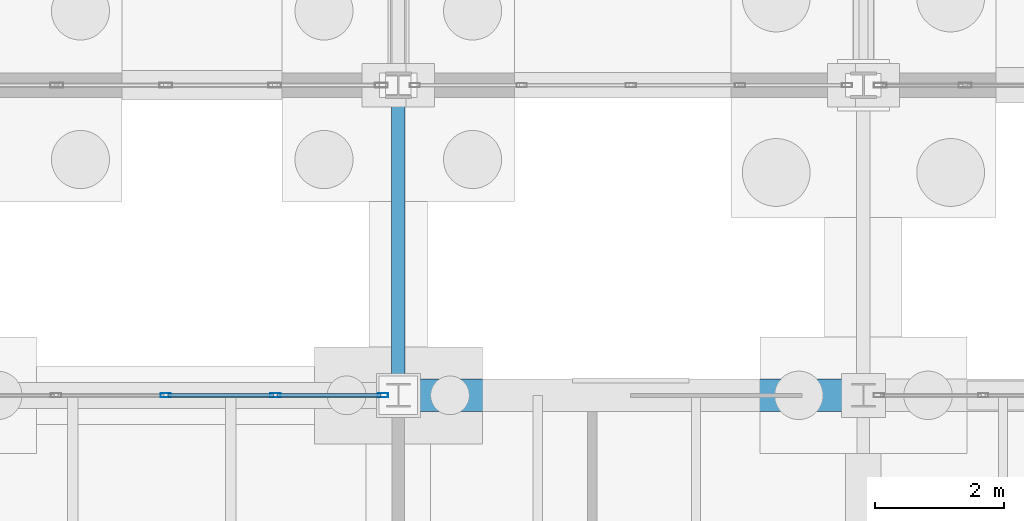
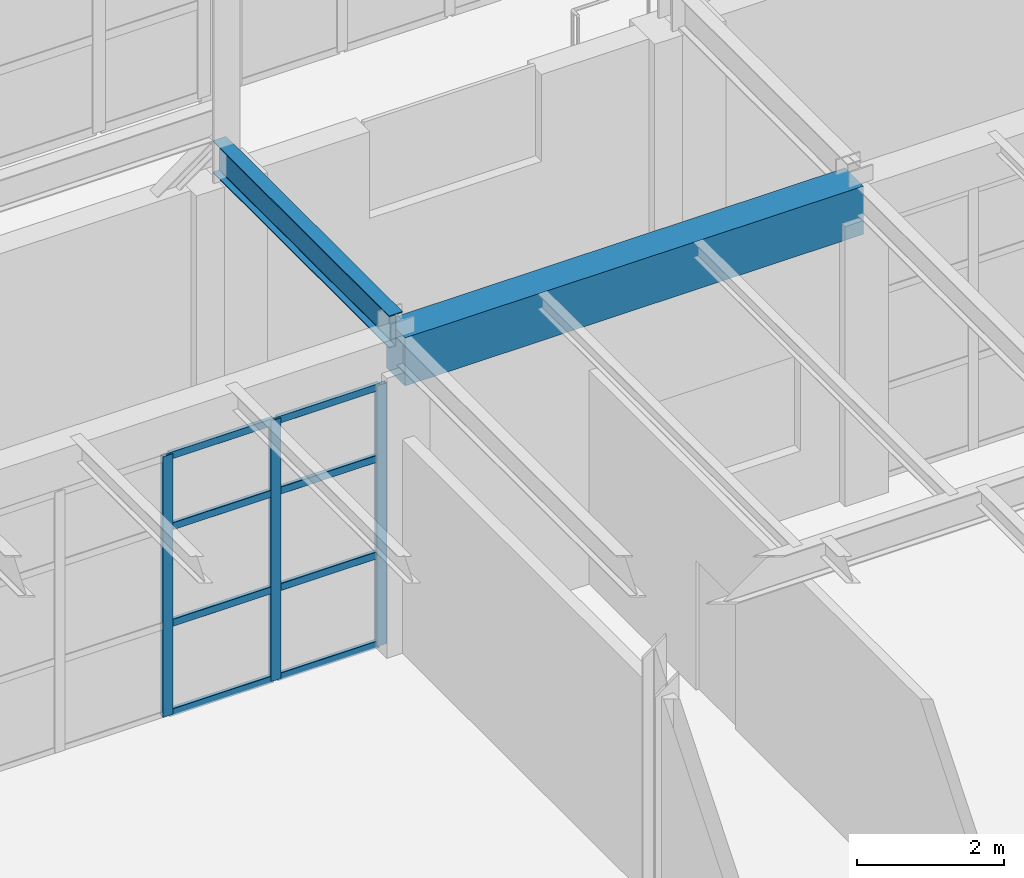
# One storey, part 105 of 293: 11 members, 2 beams, 1 element without a shape of its own.
"""IFC4 building model written with IfcOpenShell, lengths in metres."""

import ifcopenshell
import ifcopenshell.guid

model = None  # the IFC model being written
_history = None  # IfcOwnerHistory: only IFC2X3 demands one
_inside = {}  # id of a spatial element -> (the spatial element, [elements in it])
_under = {}  # id of a project, library or spatial element -> (it, [spatial elements below it])
_declared = {}  # id of a project -> (the project, [libraries it declares])
_typed = {}  # id of a type object -> (the type object, [elements of that type])
_made_of = {}  # id of a material, layer set ... -> (it, [elements and type objects made of it])


def new_model(schema):
    """Start an empty IFC model of exactly this schema.

    Asked for "IFC4X3", IfcOpenShell would pick the latest addendum, in which some entities
    have other attributes; the version numbers below select the first issue.
    IFC2X3 requires an IfcOwnerHistory on every rooted entity: one is made here for all.
    """
    global model, _history
    if schema == "IFC4X3":
        model = ifcopenshell.file(schema_version=(4, 3, 0, 0))
    else:
        model = ifcopenshell.file(schema=schema)
    _inside.clear()
    _under.clear()
    _declared.clear()
    _typed.clear()
    _made_of.clear()
    _history = None
    if model.schema == "IFC2X3":
        org = make("IfcOrganization", Name="unknown")
        user = make(
            "IfcPersonAndOrganization",
            ThePerson=make("IfcPerson", FamilyName="unknown"),
            TheOrganization=org,
        )
        app = make(
            "IfcApplication",
            ApplicationDeveloper=org,
            Version="unknown",
            ApplicationFullName="unknown",
            ApplicationIdentifier="unknown",
        )
        _history = make(
            "IfcOwnerHistory",
            OwningUser=user,
            OwningApplication=app,
            ChangeAction="ADDED",
            CreationDate=0,
        )
    return model


def make(cls, **values):
    """One entity of the class cls with the attributes given. An attribute that is None is left unset."""
    return model.create_entity(
        cls, **{name: value for name, value in values.items() if value is not None}
    )


def rooted(cls, **values):
    """An entity with a GlobalId (a new one), such as an element, a storey or a relation."""
    return make(cls, GlobalId=ifcopenshell.guid.new(), OwnerHistory=_history, **values)


def si_unit(unit_type, name, prefix=None):
    """IfcSIUnit, for example si_unit("LENGTHUNIT", "METRE", prefix="MILLI")."""
    return make("IfcSIUnit", UnitType=unit_type, Prefix=prefix, Name=name)


def assignment(units):
    """IfcUnitAssignment: the units of a project."""
    return None if units is None else make("IfcUnitAssignment", Units=units)


def point(xyz):
    """IfcCartesianPoint."""
    return None if xyz is None else make("IfcCartesianPoint", Coordinates=xyz)


def direction(xyz):
    """IfcDirection."""
    return None if xyz is None else make("IfcDirection", DirectionRatios=xyz)


def frame(location, z_axis=None, x_axis=None):
    """IfcAxis2Placement3D, a coordinate frame: its origin and axes. An axis left out is left unset."""
    return make(
        "IfcAxis2Placement3D",
        Location=point(location),
        Axis=direction(z_axis),
        RefDirection=direction(x_axis),
    )


def frame_2d(location, x_axis=None):
    """IfcAxis2Placement2D, a coordinate frame in the plane: its origin and x axis."""
    return make(
        "IfcAxis2Placement2D", Location=point(location), RefDirection=direction(x_axis)
    )


def origin():
    """The frame at (0, 0, 0) with its axes left unset."""
    return frame((0.0, 0.0, 0.0))


def origin_2d():
    """The frame at (0, 0) in the plane with its x axis left unset."""
    return frame_2d((0.0, 0.0))


def place(relative_to, where):
    """IfcLocalPlacement: puts the frame where relative to a parent placement (None: the world)."""
    return make(
        "IfcLocalPlacement", PlacementRelTo=relative_to, RelativePlacement=where
    )


def context(
    kind, dimensions, precision=None, world=None, true_north=None, identifier=None
):
    """IfcGeometricRepresentationContext, for example the 3D "Model" context."""
    return make(
        "IfcGeometricRepresentationContext",
        ContextIdentifier=identifier,
        ContextType=kind,
        CoordinateSpaceDimension=dimensions,
        Precision=precision,
        WorldCoordinateSystem=world,
        TrueNorth=true_north,
    )


def subcontext(parent, identifier, kind, view, scale=None):
    """IfcGeometricRepresentationSubContext, for example "Body" below "Model"."""
    return make(
        "IfcGeometricRepresentationSubContext",
        ContextIdentifier=identifier,
        ContextType=kind,
        ParentContext=parent,
        TargetScale=scale,
        TargetView=view,
    )


def project(units=None, contexts=None):
    """IfcProject with its units and contexts."""
    return rooted(
        "IfcProject",
        Name="project",
        RepresentationContexts=contexts,
        UnitsInContext=assignment(units),
    )


def spatial(cls, under=None, at=None, **own):
    """A site, building, storey or space (cls), placed at a placement, below another one or the project."""
    s = rooted(cls, ObjectPlacement=at, **own)
    if under is not None:
        _under.setdefault(under.id(), (under, []))[1].append(s)
    return s


def profile(cls, at=None, kind="AREA", **sizes):
    """A parametric profile (cls). Its sizes go by their IFC names, for example OverallWidth=200.0."""
    return make(cls, ProfileType=kind, Position=at, **sizes)


def rectangle(**sizes):
    """IfcRectangleProfileDef."""
    return profile("IfcRectangleProfileDef", **sizes)


def hollow_rectangle(**sizes):
    """IfcRectangleHollowProfileDef."""
    return profile("IfcRectangleHollowProfileDef", **sizes)


def i_section(**sizes):
    """IfcIShapeProfileDef."""
    return profile("IfcIShapeProfileDef", **sizes)


def extrude(swept, where, along, depth):
    """IfcExtrudedAreaSolid: the profile swept, set in the frame where, extruded along a direction by depth."""
    return make(
        "IfcExtrudedAreaSolid",
        SweptArea=swept,
        Position=where,
        ExtrudedDirection=direction(along),
        Depth=depth,
    )


def shape(context_of_items, identifier, shape_type, items):
    """IfcShapeRepresentation: the items that make up one representation, for example the "Body"."""
    return make(
        "IfcShapeRepresentation",
        ContextOfItems=context_of_items,
        RepresentationIdentifier=identifier,
        RepresentationType=shape_type,
        Items=items,
    )


def material(Name=None, Category=None):
    """IfcMaterial."""
    return make("IfcMaterial", Name=Name, Category=Category)


def layer(
    of_material, thickness, ventilated=None, Name=None, Category=None, Priority=None
):
    """IfcMaterialLayer: one layer of a wall or slab, of a material (None: an air gap)."""
    return make(
        "IfcMaterialLayer",
        Material=of_material,
        LayerThickness=thickness,
        IsVentilated=ventilated,
        Name=Name,
        Category=Category,
        Priority=Priority,
    )


def layer_set(layers, Name=None):
    """IfcMaterialLayerSet."""
    return make("IfcMaterialLayerSet", MaterialLayers=layers, LayerSetName=Name)


def material_profile(
    of_material, cross_section, Name=None, Category=None, Priority=None
):
    """IfcMaterialProfile: a cross section and its material."""
    return make(
        "IfcMaterialProfile",
        Name=Name,
        Material=of_material,
        Profile=cross_section,
        Priority=Priority,
        Category=Category,
    )


def profile_set(profiles, Name=None, composite=None):
    """IfcMaterialProfileSet."""
    return make(
        "IfcMaterialProfileSet",
        Name=Name,
        MaterialProfiles=profiles,
        CompositeProfile=composite,
    )


def made_of(thing, what):
    """Note that an element or type object is made of a material, layer set ...; save() writes the relation."""
    if what is not None:
        _made_of.setdefault(what.id(), (what, []))[1].append(thing)
    return thing


def type_object(cls, material=None, **own):
    """A type object (cls), such as IfcWallType, which elements share."""
    return made_of(rooted(cls, **own), material)


def element(
    cls,
    number,
    at=None,
    inside=None,
    cuts=None,
    type_object=None,
    material=None,
    context=None,
    identifier="Body",
    shape_type=None,
    held_by="IfcProductDefinitionShape",
    body=None,
    shapes=None,
    **own,
):
    """One element of the class cls, such as IfcWall. Its Tag is "e" and its number.

    at: its placement. inside: the storey or other place that contains it. cuts: it is an
    opening in that element (IfcRelVoidsElement). A single representation is given by context,
    identifier, shape_type and body (its items); several are given by shapes. held_by: the class
    of the entity that holds the representations. save() writes the other relations.
    """
    e = rooted(cls, Tag="e%d" % number, ObjectPlacement=at, **own)
    if body is not None:
        shapes = [shape(context, identifier, shape_type, body)]
    if shapes is not None:
        e.Representation = make(held_by, Representations=shapes)
    if inside is not None:
        _inside.setdefault(inside.id(), (inside, []))[1].append(e)
    if cuts is not None:
        rooted(
            "IfcRelVoidsElement", RelatingBuildingElement=cuts, RelatedOpeningElement=e
        )
    if type_object is not None:
        _typed.setdefault(type_object.id(), (type_object, []))[1].append(e)
    return made_of(e, material)


def aggregate(whole, parts):
    """IfcRelAggregates: a whole, such as a stair, and the parts it consists of."""
    return rooted("IfcRelAggregates", RelatingObject=whole, RelatedObjects=parts)


def save(model, path):
    """Write the relations noted so far, then the file.

    IfcRelAggregates (storeys below a building ...), IfcRelContainedInSpatialStructure (elements
    in a storey), IfcRelDefinesByType, IfcRelAssociatesMaterial and IfcRelDeclares: one each for
    every whole, place, type object, material and project.
    """
    for whole, parts in _under.values():
        aggregate(whole, parts)
    for where, things in _inside.values():
        rooted(
            "IfcRelContainedInSpatialStructure",
            RelatedElements=things,
            RelatingStructure=where,
        )
    for kind, things in _typed.values():
        rooted("IfcRelDefinesByType", RelatedObjects=things, RelatingType=kind)
    for what, things in _made_of.values():
        rooted("IfcRelAssociatesMaterial", RelatedObjects=things, RelatingMaterial=what)
    for by, libraries in _declared.values():
        rooted("IfcRelDeclares", RelatingContext=by, RelatedDefinitions=libraries)
    model.write(path)


model = new_model("IFC4")

# Units and contexts
model_context = context("Model", 3, precision=1e-05, world=origin(), true_north=direction((0.0, 1.0)))
body_context = subcontext(model_context, "Body", "Model", "MODEL_VIEW")
ifc_project = project(units=[si_unit("LENGTHUNIT", "METRE"), si_unit("AREAUNIT", "SQUARE_METRE"), si_unit("VOLUMEUNIT", "CUBIC_METRE"), si_unit("PLANEANGLEUNIT", "RADIAN"), si_unit("MASSUNIT", "GRAM", prefix="KILO")], contexts=[model_context])

# Site, building, storey
site_placement = place(None, origin())
site = spatial("IfcSite", under=ifc_project, at=site_placement, CompositionType="ELEMENT")
building_placement = place(site_placement, origin())
building = spatial("IfcBuilding", under=site, at=building_placement, Name="Kemerveld Promenade Tramway Depot", CompositionType="ELEMENT")
storey_placement = place(building_placement, origin())
storey = spatial("IfcBuildingStorey", under=building, at=storey_placement, Name="L00", CompositionType="ELEMENT", Elevation=0.0)

# Beams
ifc_material_1 = material(Name="Steel S355", Category="steel")
ifc_material_profile_1 = material_profile(ifc_material_1, i_section(OverallWidth=0.2099609375, OverallDepth=0.53662109375, WebThickness=0.0107421875, FlangeThickness=0.017333984375, FilletRadius=0.0126953125, at=origin_2d()), Name="533x210x101 UB")
ifc_profile_set_1 = profile_set([ifc_material_profile_1], Name="Steel S355")
beam_type_1 = type_object("IfcBeamType", Name="BM-G05", PredefinedType="BEAM", material=ifc_profile_set_1)
beam_1_placement = place(storey_placement, frame((43.199951171875, 79.199951171875, 5.131591796875), z_axis=(0.0, 1.0, 0.0), x_axis=(-1.0, 0.0, 0.0)))
element("IfcBeam", 1, at=beam_1_placement, inside=storey, type_object=beam_type_1, Name="BM-LINK-07-MN", PredefinedType="BEAM", context=body_context, shape_type="SweptSolid", body=[
    extrude(i_section(OverallWidth=0.2099609375, OverallDepth=0.53662109375, WebThickness=0.0107421875, FlangeThickness=0.017333984375, FilletRadius=0.0126953125, at=origin_2d()), origin(), (0.0, 0.0, 1.0), 4.800048828125),
])
ifc_material_2 = material(Name="Concrete C40/50", Category="concrete")
ifc_material_profile_2 = material_profile(ifc_material_2, rectangle(XDim=0.5, YDim=0.800048828125, at=origin_2d()), Name="RC-BM-500x800")
ifc_profile_set_2 = profile_set([ifc_material_profile_2], Name="Concrete C40/50")
beam_type_2 = type_object("IfcBeamType", Name="BM-RC2", PredefinedType="BEAM", material=ifc_profile_set_2)
beam_2_placement = place(storey_placement, frame((43.199951171875, 79.199951171875, 4.75), z_axis=(1.0, 0.0, 0.0), x_axis=(0.0, 1.0, 0.0)))
element("IfcBeam", 2, at=beam_2_placement, inside=storey, type_object=beam_type_2, Name="BMX-L00-07-08-M", PredefinedType="BEAM", context=body_context, shape_type="SweptSolid", body=[
    extrude(rectangle(XDim=0.5, YDim=0.800048828125, at=origin_2d()), origin(), (0.0, 0.0, 1.0), 7.199951171875),
])

# Curtain wall, members
ifc_material_3 = material(Name="Bronze anodised aluminium and solar glass", Category="aluminium")
ifc_layer = layer(ifc_material_3, 0.159912109375)
ifc_layer_set = layer_set([ifc_layer], Name="CW-SYS-09")
curtain_wall_type = type_object("IfcCurtainWallType", Name="CW-SYS-09", PredefinedType="USERDEFINED", material=ifc_layer_set)
curtain_wall_placement = place(storey_placement, origin())
curtain_wall = element("IfcCurtainWall", 3, at=curtain_wall_placement, inside=storey, type_object=curtain_wall_type, Name="CW-L00-V5N-06", ObjectType="GLAZED_CURTAIN_WALL", PredefinedType="USERDEFINED")
ifc_material_4 = material(Name="Bronze anodised aluminium", Category="aluminium")
ifc_material_profile_3 = material_profile(ifc_material_4, hollow_rectangle(XDim=0.06494140625, YDim=0.159912109375, WallThickness=0.00390625, InnerFilletRadius=0.001953125, OuterFilletRadius=0.00390625, at=origin_2d()), Name="CW-MUL-160x65")
ifc_profile_set_3 = profile_set([ifc_material_profile_3], Name="Bronze anodised aluminium")
member_type_1 = type_object("IfcMemberType", Name="CW-MUL-A", PredefinedType="MULLION", material=ifc_profile_set_3)
member_1_placement = place(storey_placement, frame((39.60009765625, 79.199951171875, 0.0), z_axis=(0.0, 0.0, 1.0), x_axis=(0.0, 1.0, 0.0)))
member_1 = element("IfcMember", 4, at=member_1_placement, type_object=member_type_1, Name="CW09 mullion 3", PredefinedType="MULLION", context=body_context, shape_type="SweptSolid", body=[
    extrude(hollow_rectangle(XDim=0.06494140625, YDim=0.159912109375, WallThickness=0.00390625, InnerFilletRadius=0.001953125, OuterFilletRadius=0.00390625, at=origin_2d()), origin(), (0.0, 0.0, 1.0), 4.330078125),
])
member_2_placement = place(storey_placement, frame((41.296875, 79.199951171875, 0.0), z_axis=(0.0, 0.0, 1.0), x_axis=(0.0, 1.0, 0.0)))
member_2 = element("IfcMember", 5, at=member_2_placement, type_object=member_type_1, Name="CW09 mullion 4", PredefinedType="MULLION", context=body_context, shape_type="SweptSolid", body=[
    extrude(hollow_rectangle(XDim=0.06494140625, YDim=0.159912109375, WallThickness=0.00390625, InnerFilletRadius=0.001953125, OuterFilletRadius=0.00390625, at=origin_2d()), origin(), (0.0, 0.0, 1.0), 4.330078125),
])
member_3_placement = place(storey_placement, frame((42.961181640625, 79.199951171875, 0.0), z_axis=(0.0, 0.0, 1.0), x_axis=(0.0, 1.0, 0.0)))
member_3 = element("IfcMember", 6, at=member_3_placement, type_object=member_type_1, Name="CW09 mullion 5", PredefinedType="MULLION", context=body_context, shape_type="SweptSolid", body=[
    extrude(hollow_rectangle(XDim=0.06494140625, YDim=0.159912109375, WallThickness=0.00390625, InnerFilletRadius=0.001953125, OuterFilletRadius=0.00390625, at=origin_2d()), origin(), (0.0, 0.0, 1.0), 4.330078125),
])
ifc_material_profile_4 = material_profile(ifc_material_4, hollow_rectangle(XDim=0.06005859375, YDim=0.1201171875, WallThickness=0.00390625, InnerFilletRadius=0.001953125, OuterFilletRadius=0.00390625, at=origin_2d()), Name="CW-TRN-120x60")
ifc_profile_set_4 = profile_set([ifc_material_profile_4], Name="Bronze anodised aluminium")
member_type_2 = type_object("IfcMemberType", Name="CW-TRN-A", PredefinedType="USERDEFINED", material=ifc_profile_set_4)
member_4_placement = place(storey_placement, frame((39.632568359375, 79.199951171875, 0.030029296875), z_axis=(1.0, 0.0, 0.0), x_axis=(0.0, 1.0, 0.0)))
member_4 = element("IfcMember", 7, at=member_4_placement, type_object=member_type_2, Name="CW09 transom 3.1", ObjectType="TRANSOM", PredefinedType="USERDEFINED", context=body_context, shape_type="SweptSolid", body=[
    extrude(hollow_rectangle(XDim=0.06005859375, YDim=0.1201171875, WallThickness=0.00390625, InnerFilletRadius=0.001953125, OuterFilletRadius=0.00390625, at=origin_2d()), origin(), (0.0, 0.0, 1.0), 1.6318359375),
])
member_5_placement = place(storey_placement, frame((39.632568359375, 79.199951171875, 1.514892578125), z_axis=(1.0, 0.0, 0.0), x_axis=(0.0, 1.0, 0.0)))
member_5 = element("IfcMember", 8, at=member_5_placement, type_object=member_type_2, Name="CW09 transom 3.2", ObjectType="TRANSOM", PredefinedType="USERDEFINED", context=body_context, shape_type="SweptSolid", body=[
    extrude(hollow_rectangle(XDim=0.06005859375, YDim=0.1201171875, WallThickness=0.00390625, InnerFilletRadius=0.001953125, OuterFilletRadius=0.00390625, at=origin_2d()), origin(), (0.0, 0.0, 1.0), 1.6318359375),
])
member_6_placement = place(storey_placement, frame((39.632568359375, 79.199951171875, 3.117919921875), z_axis=(1.0, 0.0, 0.0), x_axis=(0.0, 1.0, 0.0)))
member_6 = element("IfcMember", 9, at=member_6_placement, type_object=member_type_2, Name="CW09 transom 3.3", ObjectType="TRANSOM", PredefinedType="USERDEFINED", context=body_context, shape_type="SweptSolid", body=[
    extrude(hollow_rectangle(XDim=0.06005859375, YDim=0.1201171875, WallThickness=0.00390625, InnerFilletRadius=0.001953125, OuterFilletRadius=0.00390625, at=origin_2d()), origin(), (0.0, 0.0, 1.0), 1.6318359375),
])
member_7_placement = place(storey_placement, frame((39.632568359375, 79.199951171875, 4.300048828125), z_axis=(1.0, 0.0, 0.0), x_axis=(0.0, 1.0, 0.0)))
member_7 = element("IfcMember", 10, at=member_7_placement, type_object=member_type_2, Name="CW09 transom 3.4", ObjectType="TRANSOM", PredefinedType="USERDEFINED", context=body_context, shape_type="SweptSolid", body=[
    extrude(hollow_rectangle(XDim=0.06005859375, YDim=0.1201171875, WallThickness=0.00390625, InnerFilletRadius=0.001953125, OuterFilletRadius=0.00390625, at=origin_2d()), origin(), (0.0, 0.0, 1.0), 1.6318359375),
])
member_8_placement = place(storey_placement, frame((41.329345703125, 79.199951171875, 0.030029296875), z_axis=(1.0, 0.0, 0.0), x_axis=(0.0, 1.0, 0.0)))
member_8 = element("IfcMember", 11, at=member_8_placement, type_object=member_type_2, Name="CW09 transom 4.1", ObjectType="TRANSOM", PredefinedType="USERDEFINED", context=body_context, shape_type="SweptSolid", body=[
    extrude(hollow_rectangle(XDim=0.06005859375, YDim=0.1201171875, WallThickness=0.00390625, InnerFilletRadius=0.001953125, OuterFilletRadius=0.00390625, at=origin_2d()), origin(), (0.0, 0.0, 1.0), 1.599365234375),
])
member_9_placement = place(storey_placement, frame((41.329345703125, 79.199951171875, 1.514892578125), z_axis=(1.0, 0.0, 0.0), x_axis=(0.0, 1.0, 0.0)))
member_9 = element("IfcMember", 12, at=member_9_placement, type_object=member_type_2, Name="CW09 transom 4.2", ObjectType="TRANSOM", PredefinedType="USERDEFINED", context=body_context, shape_type="SweptSolid", body=[
    extrude(hollow_rectangle(XDim=0.06005859375, YDim=0.1201171875, WallThickness=0.00390625, InnerFilletRadius=0.001953125, OuterFilletRadius=0.00390625, at=origin_2d()), origin(), (0.0, 0.0, 1.0), 1.599365234375),
])
member_10_placement = place(storey_placement, frame((41.329345703125, 79.199951171875, 3.117919921875), z_axis=(1.0, 0.0, 0.0), x_axis=(0.0, 1.0, 0.0)))
member_10 = element("IfcMember", 13, at=member_10_placement, type_object=member_type_2, Name="CW09 transom 4.3", ObjectType="TRANSOM", PredefinedType="USERDEFINED", context=body_context, shape_type="SweptSolid", body=[
    extrude(hollow_rectangle(XDim=0.06005859375, YDim=0.1201171875, WallThickness=0.00390625, InnerFilletRadius=0.001953125, OuterFilletRadius=0.00390625, at=origin_2d()), origin(), (0.0, 0.0, 1.0), 1.599365234375),
])
member_11_placement = place(storey_placement, frame((41.329345703125, 79.199951171875, 4.300048828125), z_axis=(1.0, 0.0, 0.0), x_axis=(0.0, 1.0, 0.0)))
member_11 = element("IfcMember", 14, at=member_11_placement, type_object=member_type_2, Name="CW09 transom 4.4", ObjectType="TRANSOM", PredefinedType="USERDEFINED", context=body_context, shape_type="SweptSolid", body=[
    extrude(hollow_rectangle(XDim=0.06005859375, YDim=0.1201171875, WallThickness=0.00390625, InnerFilletRadius=0.001953125, OuterFilletRadius=0.00390625, at=origin_2d()), origin(), (0.0, 0.0, 1.0), 1.599365234375),
])
aggregate(curtain_wall, [member_1, member_2, member_3, member_4, member_5, member_6, member_7, member_8, member_9, member_10, member_11])

save(model, "model.ifc")
